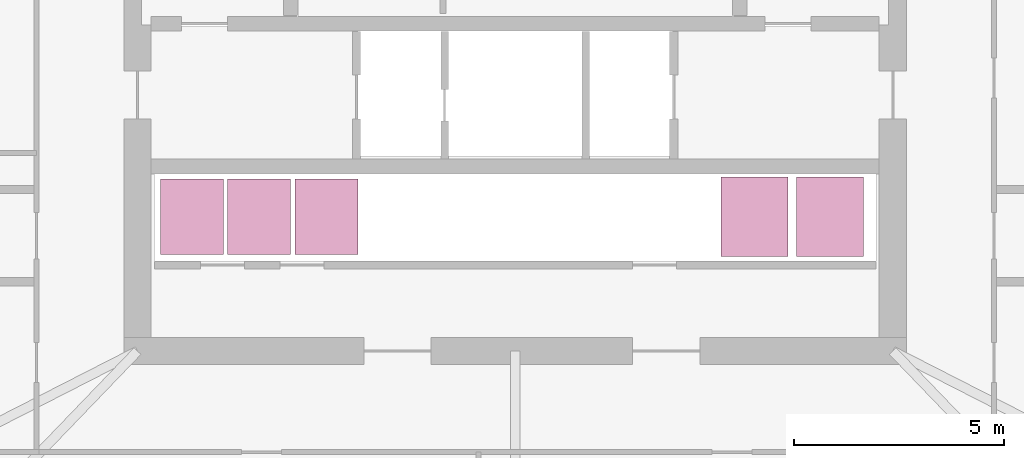
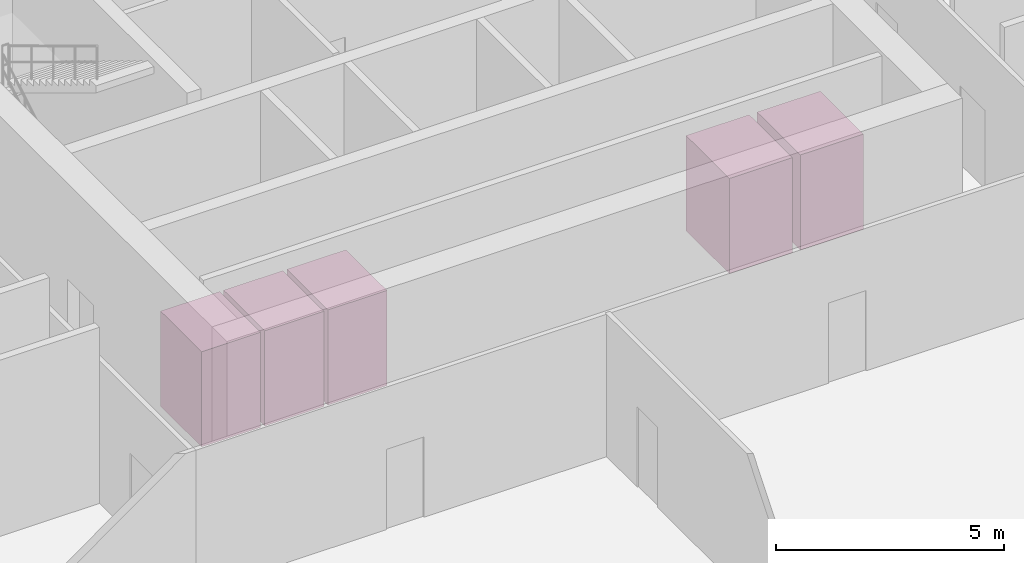
# One storey, part 23 of 23: 5 transport elements.
"""IFC4 building model written with IfcOpenShell, lengths in metres."""

from ifc_helpers import new_model, si_unit, direction, frame, origin, origin_2d, place, context, subcontext, project, spatial, rectangle, extrude, material, type_object, element, save


model = new_model("IFC4")

# Units and contexts
model_context = context("Model", 3, precision=1e-05, world=origin(), true_north=direction((0.0, 1.0)))
body_context = subcontext(model_context, "Body", "Model", "MODEL_VIEW")
ifc_project = project(units=[si_unit("LENGTHUNIT", "METRE"), si_unit("AREAUNIT", "SQUARE_METRE"), si_unit("VOLUMEUNIT", "CUBIC_METRE"), si_unit("PLANEANGLEUNIT", "RADIAN"), si_unit("MASSUNIT", "GRAM", prefix="KILO")], contexts=[model_context])

# Site, building, storey
site_placement = place(None, origin())
site = spatial("IfcSite", under=ifc_project, at=site_placement, CompositionType="ELEMENT")
building_placement = place(site_placement, origin())
building = spatial("IfcBuilding", under=site, at=building_placement, Name="Caelvoria Tower", CompositionType="ELEMENT")
storey_placement = place(building_placement, origin())
storey = spatial("IfcBuildingStorey", under=building, at=storey_placement, Name="L00", CompositionType="ELEMENT", Elevation=0.0)

# Transport elements
ifc_material = material(Name="Stainless Steel and Bronze Elevator Cab", Category="steel")
transport_element_type_1 = type_object("IfcTransportElementType", Name="Express Sky-Lobby and Observation Shuttle 1800kg", PredefinedType="ELEVATOR", material=ifc_material)
for number, where, z_axis, x_axis, name in (
    (1, (51.699951171875, 27.199951171875, 0.0), (0.0, 0.0, 1.0), (1.0, 0.0, 0.0), "Elevator PS-01"),
    (2, (53.5, 27.199951171875, 0.0), (0.0, 0.0, 1.0), (1.0, 0.0, 0.0), "Elevator PO-01"),
):
    element("IfcTransportElement", number, at=place(storey_placement, frame(where, z_axis=z_axis, x_axis=x_axis)), inside=storey, type_object=transport_element_type_1, Name=name, PredefinedType="ELEVATOR", context=body_context, shape_type="SweptSolid", body=[
        extrude(rectangle(XDim=1.60009765625, YDim=1.89990234375, at=origin_2d()), origin(), (0.0, 0.0, 1.0), 2.550048828125),
    ])
transport_element_type_2 = type_object("IfcTransportElementType", Name="Passenger Zone Gearless Lift 1350kg", PredefinedType="ELEVATOR", material=ifc_material)
for number, where, z_axis, x_axis, name in (
    (3, (38.300048828125, 27.199951171875, 0.0), (0.0, 0.0, 1.0), (1.0, 0.0, 0.0), "Elevator PL-01"),
    (4, (39.89990234375, 27.199951171875, 0.0), (0.0, 0.0, 1.0), (1.0, 0.0, 0.0), "Elevator PL-02"),
    (5, (41.5, 27.199951171875, 0.0), (0.0, 0.0, 1.0), (1.0, 0.0, 0.0), "Elevator PL-03"),
):
    element("IfcTransportElement", number, at=place(storey_placement, frame(where, z_axis=z_axis, x_axis=x_axis)), inside=storey, type_object=transport_element_type_2, Name=name, PredefinedType="ELEVATOR", context=body_context, shape_type="SweptSolid", body=[
        extrude(rectangle(XDim=1.5, YDim=1.800048828125, at=origin_2d()), origin(), (0.0, 0.0, 1.0), 2.550048828125),
    ])

save(model, "model.ifc")
